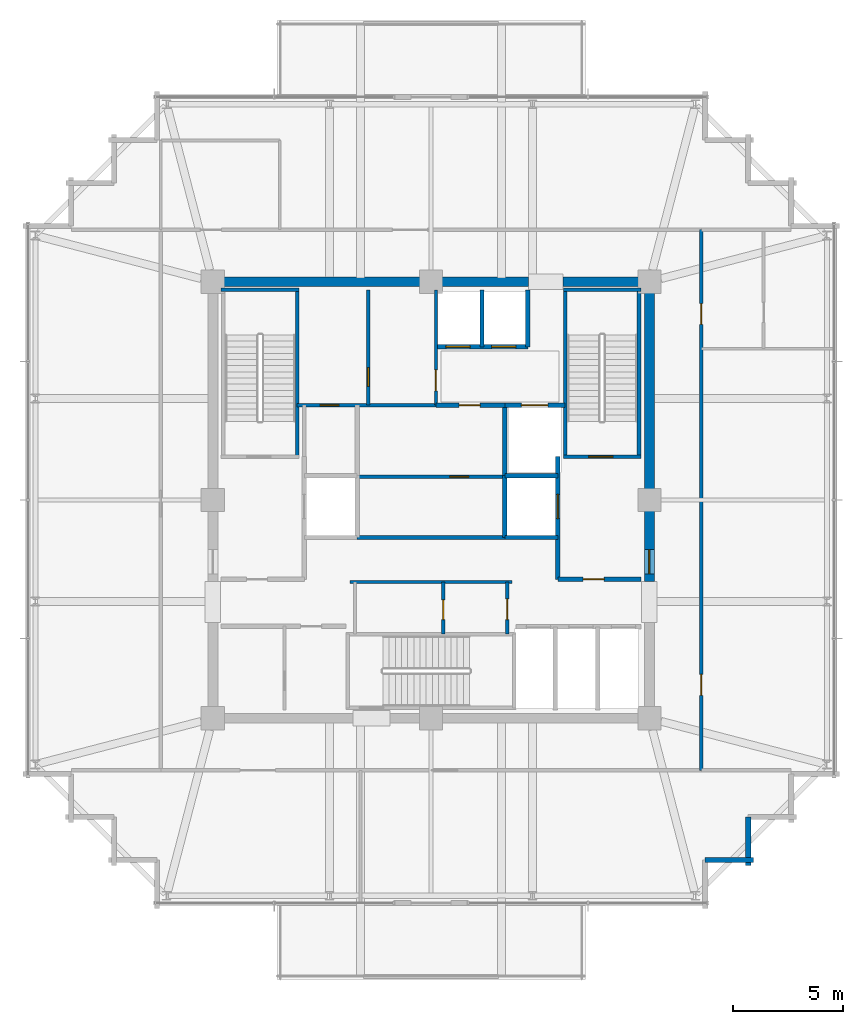
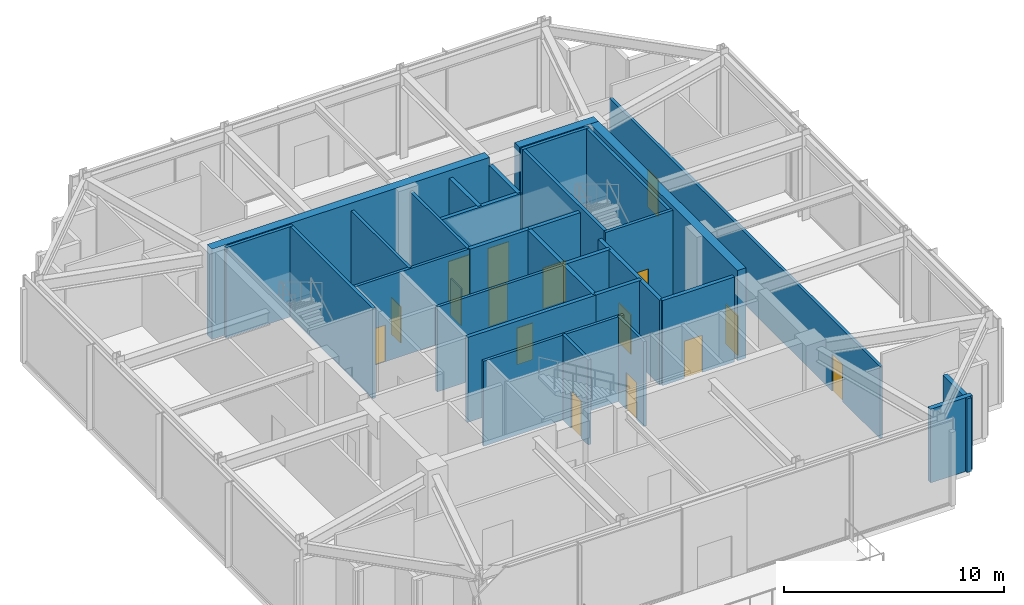
# One storey, part 28 of 31: 31 walls, 16 doors, 16 openings.
"""IFC4 building model written with IfcOpenShell, lengths in metres."""

from ifc_helpers import new_model, si_unit, direction, frame, frame_2d, origin, place, context, subcontext, project, spatial, rectangle, extrude, material, layer, layer_set, type_object, element, fill, save


model = new_model("IFC4")

# Units and contexts
model_context = context("Model", 3, precision=1e-05, world=origin(), true_north=direction((0.0, 1.0)))
body_context = subcontext(model_context, "Body", "Model", "MODEL_VIEW")
ifc_project = project(units=[si_unit("LENGTHUNIT", "METRE"), si_unit("AREAUNIT", "SQUARE_METRE"), si_unit("VOLUMEUNIT", "CUBIC_METRE"), si_unit("PLANEANGLEUNIT", "RADIAN"), si_unit("MASSUNIT", "GRAM", prefix="KILO")], contexts=[model_context])

# Site, building, storey
site_placement = place(None, origin())
site = spatial("IfcSite", under=ifc_project, at=site_placement, CompositionType="ELEMENT")
building_placement = place(site_placement, origin())
building = spatial("IfcBuilding", under=site, at=building_placement, Name="Kolvaren Belvedere", CompositionType="ELEMENT")
storey_placement = place(building_placement, frame((0.0, 0.0, 267.39990234375)))
storey = spatial("IfcBuildingStorey", under=building, at=storey_placement, Name="L77", CompositionType="ELEMENT", Elevation=267.39990234375)

# Walls
ifc_material_1 = material(Name="Concrete C50/60", Category="concrete")
ifc_layer_1 = layer(ifc_material_1, 0.449951171875)
ifc_layer_set_1 = layer_set([ifc_layer_1], Name="Concrete C50/60")
wall_type_1 = type_object("IfcWallType", Name="CW-CORE-450", PredefinedType="SHEAR", material=ifc_layer_set_1)
wall_1_placement = place(storey_placement, frame((-10.125, 9.89990234375, 0.0), z_axis=(0.0, 0.0, 1.0), x_axis=(1.0, 0.0, 0.0)))
element("IfcWall", 1, at=wall_1_placement, inside=storey, type_object=wall_type_1, Name="L77 North Core Shear Wall 1", PredefinedType="SHEAR", context=body_context, shape_type="SweptSolid", body=[
    extrude(rectangle(XDim=14.544921875, YDim=0.449951171875, at=frame_2d((7.2724609375, 0.0))), origin(), (0.0, 0.0, 1.0), 5.0),
])
wall_2_placement = place(storey_placement, frame((5.97998046875, 9.89990234375, 0.0), z_axis=(0.0, 0.0, 1.0), x_axis=(1.0, 0.0, 0.0)))
element("IfcWall", 2, at=wall_2_placement, inside=storey, type_object=wall_type_1, Name="L77 North Core Shear Wall 2", PredefinedType="SHEAR", context=body_context, shape_type="SweptSolid", body=[
    extrude(rectangle(XDim=4.14501953125, YDim=0.449951171875, at=frame_2d((2.072509765625, 0.0))), origin(), (0.0, 0.0, 1.0), 5.0),
])

# Wall, opening, door
wall_3_placement = place(storey_placement, frame((9.89990234375, -3.699951171875, 0.0), z_axis=(0.0, 0.0, 1.0), x_axis=(0.0, 1.0, 0.0)))
wall_3 = element("IfcWall", 3, at=wall_3_placement, inside=storey, type_object=wall_type_1, Name="L77 East Core Shear Wall 2", PredefinedType="SHEAR", context=body_context, shape_type="SweptSolid", body=[
    extrude(rectangle(XDim=13.375, YDim=0.449951171875, at=frame_2d((6.6875, 0.0))), origin(), (0.0, 0.0, 1.0), 5.0),
])
opening_1_placement = place(wall_3_placement, frame((0.35009765625, 0.0, 0.0)))
opening_1 = element("IfcOpeningElement", 4, at=opening_1_placement, cuts=wall_3, Name="Opening D-FD90", PredefinedType="OPENING", context=body_context, shape_type="SweptSolid", body=[
    extrude(rectangle(XDim=1.10009765625, YDim=2.199951171875, at=frame_2d((0.550048828125, 1.10009765625))), frame((0.0, 0.23486328125, 0.0), z_axis=(0.0, -1.0, 0.0), x_axis=(1.0, 0.0, 0.0)), (0.0, 0.0, 1.0), 0.469970703125),
])
ifc_material_2 = material(Name="Painted hollow stainless steel", Category="steel")
door_type_1 = type_object("IfcDoorType", Name="DR-FD90-1100", OperationType="NOTDEFINED", PredefinedType="DOOR", material=ifc_material_2)
door_1_placement = place(opening_1_placement, origin())
door_1 = element("IfcDoor", 5, at=door_1_placement, inside=storey, type_object=door_type_1, Name="L77 East Firefighting Lobby Fire Door", OperationType="SINGLE_SWING_RIGHT", OverallHeight=2.199951171875, OverallWidth=1.10009765625, PredefinedType="DOOR", context=body_context, shape_type="SweptSolid", body=[
    extrude(rectangle(XDim=1.10009765625, YDim=2.199951171875, at=frame_2d((0.550048828125, 1.10009765625))), frame((0.0, 0.02490234375, 0.0), z_axis=(0.0, -1.0, 0.0), x_axis=(1.0, 0.0, 0.0)), (0.0, 0.0, 1.0), 0.050048828125),
])
fill(opening_1, door_1)

# Walls
ifc_material_3 = material(Name="Concrete C50/60", Category="concrete")
ifc_layer_2 = layer(ifc_material_3, 0.159912109375)
ifc_layer_set_2 = layer_set([ifc_layer_2], Name="Concrete C50/60")
wall_type_2 = type_object("IfcWallType", Name="CW-STAIR-160", PredefinedType="SHEAR", material=ifc_layer_set_2)
wall_4_placement = place(storey_placement, frame((-9.52001953125, 9.530029296875, 0.0), z_axis=(0.0, 0.0, 1.0), x_axis=(1.0, 0.0, 0.0)))
element("IfcWall", 6, at=wall_4_placement, inside=storey, type_object=wall_type_2, Name="L77 Stair ST-1 North Shear Wall", PredefinedType="SHEAR", context=body_context, shape_type="SweptSolid", body=[
    extrude(rectangle(XDim=3.52001953125, YDim=0.159912109375, at=frame_2d((1.760009765625, 0.0))), origin(), (0.0, 0.0, 1.0), 5.0),
])
wall_5_placement = place(storey_placement, frame((-6.080078125, 1.969970703125, 0.0), z_axis=(0.0, 0.0, 1.0), x_axis=(0.0, 1.0, 0.0)))
element("IfcWall", 7, at=wall_5_placement, inside=storey, type_object=wall_type_2, Name="L77 Stair ST-1 East Shear Wall", PredefinedType="SHEAR", context=body_context, shape_type="SweptSolid", body=[
    extrude(rectangle(XDim=7.56005859375, YDim=0.159912109375, at=frame_2d((3.780029296875, 0.0))), origin(), (0.0, 0.0, 1.0), 5.0),
])

# Wall, opening, door
wall_6_placement = place(storey_placement, frame((6.0, 1.969970703125, 0.0), z_axis=(0.0, 0.0, 1.0), x_axis=(1.0, 0.0, 0.0)))
wall_6 = element("IfcWall", 8, at=wall_6_placement, inside=storey, type_object=wall_type_2, Name="L77 Stair ST-2 South Shear Wall", PredefinedType="SHEAR", context=body_context, shape_type="SweptSolid", body=[
    extrude(rectangle(XDim=3.52001953125, YDim=0.159912109375, at=frame_2d((1.760009765625, 0.0))), origin(), (0.0, 0.0, 1.0), 5.0),
])
opening_2_placement = place(wall_6_placement, frame((1.14990234375, 0.0, 0.0)))
opening_2 = element("IfcOpeningElement", 9, at=opening_2_placement, cuts=wall_6, Name="Opening D-FD90", PredefinedType="OPENING", context=body_context, shape_type="SweptSolid", body=[
    extrude(rectangle(XDim=1.10009765625, YDim=2.199951171875, at=frame_2d((0.550048828125, 1.10009765625))), frame((0.0, 0.08984375, 0.0), z_axis=(0.0, -1.0, 0.0), x_axis=(1.0, 0.0, 0.0)), (0.0, 0.0, 1.0), 0.179931640625),
])
door_2_placement = place(opening_2_placement, origin())
door_2 = element("IfcDoor", 10, at=door_2_placement, inside=storey, type_object=door_type_1, Name="L77 Stair ST-2 Fire Door", OperationType="SINGLE_SWING_RIGHT", OverallHeight=2.199951171875, OverallWidth=1.10009765625, PredefinedType="DOOR", context=body_context, shape_type="SweptSolid", body=[
    extrude(rectangle(XDim=1.10009765625, YDim=2.199951171875, at=frame_2d((0.550048828125, 1.10009765625))), frame((0.0, 0.02490234375, 0.0), z_axis=(0.0, -1.0, 0.0), x_axis=(1.0, 0.0, 0.0)), (0.0, 0.0, 1.0), 0.050048828125),
])
fill(opening_2, door_2)

# Walls
wall_7_placement = place(storey_placement, frame((6.0, 9.530029296875, 0.0), z_axis=(0.0, 0.0, 1.0), x_axis=(1.0, 0.0, 0.0)))
element("IfcWall", 11, at=wall_7_placement, inside=storey, type_object=wall_type_2, Name="L77 Stair ST-2 North Shear Wall", PredefinedType="SHEAR", context=body_context, shape_type="SweptSolid", body=[
    extrude(rectangle(XDim=3.52001953125, YDim=0.159912109375, at=frame_2d((1.760009765625, 0.0))), origin(), (0.0, 0.0, 1.0), 5.0),
])
for number, where, z_axis, x_axis, name in (
    (12, (6.080078125, 1.969970703125, 0.0), (0.0, 0.0, 1.0), (0.0, 1.0, 0.0), "L77 Stair ST-2 West Shear Wall"),
    (13, (9.429931640625, 1.969970703125, 0.0), (0.0, 0.0, 1.0), (0.0, 1.0, 0.0), "L77 Stair ST-2 East Shear Wall"),
):
    element("IfcWall", number, at=place(storey_placement, frame(where, z_axis=z_axis, x_axis=x_axis)), inside=storey, type_object=wall_type_2, Name=name, PredefinedType="SHEAR", context=body_context, shape_type="SweptSolid", body=[
        extrude(rectangle(XDim=7.56005859375, YDim=0.159912109375, at=frame_2d((3.780029296875, 0.0))), origin(), (0.0, 0.0, 1.0), 5.0),
    ])

# Wall, openings, doors
ifc_material_4 = material(Name="Gypsum fire-rated partition assembly", Category="gypsum")
ifc_layer_3 = layer(ifc_material_4, 0.14990234375)
ifc_layer_set_3 = layer_set([ifc_layer_3], Name="Gypsum fire-rated partition assembly")
wall_type_3 = type_object("IfcWallType", Name="WL-CORR-150", PredefinedType="PARTITIONING", material=ifc_layer_set_3)
wall_8_placement = place(storey_placement, frame((12.260009765625, -12.260009765625, 0.0), z_axis=(0.0, 0.0, 1.0), x_axis=(0.0, 1.0, 0.0)))
wall_8 = element("IfcWall", 14, at=wall_8_placement, inside=storey, type_object=wall_type_3, Name="L77 East Corridor Wall", PredefinedType="PARTITIONING", context=body_context, shape_type="SweptSolid", body=[
    extrude(rectangle(XDim=24.52001953125, YDim=0.14990234375, at=frame_2d((12.260009765625, 0.0))), origin(), (0.0, 0.0, 1.0), 3.989013671875),
])
opening_3_placement = place(wall_8_placement, frame((3.39990234375, 0.0, 0.0)))
opening_3 = element("IfcOpeningElement", 15, at=opening_3_placement, cuts=wall_8, Name="Opening D-FD60", PredefinedType="OPENING", context=body_context, shape_type="SweptSolid", body=[
    extrude(rectangle(XDim=0.949951171875, YDim=2.06005859375, at=frame_2d((0.47509765625, 1.030029296875))), frame((0.0, 0.0849609375, 0.0), z_axis=(0.0, -1.0, 0.0), x_axis=(1.0, 0.0, 0.0)), (0.0, 0.0, 1.0), 0.169921875),
])
opening_4_placement = place(wall_8_placement, frame((20.219970703125, 0.0, 0.0)))
opening_4 = element("IfcOpeningElement", 16, at=opening_4_placement, cuts=wall_8, Name="Opening D-INT95", PredefinedType="OPENING", context=body_context, shape_type="SweptSolid", body=[
    extrude(rectangle(XDim=0.949951171875, YDim=2.06005859375, at=frame_2d((0.47509765625, 1.030029296875))), frame((0.0, 0.0849609375, 0.0), z_axis=(0.0, -1.0, 0.0), x_axis=(1.0, 0.0, 0.0)), (0.0, 0.0, 1.0), 0.169921875),
])
ifc_material_5 = material(Name="Acoustic white-oak fire door leaf", Category="timber")
door_type_2 = type_object("IfcDoorType", Name="DR-FD60-950", OperationType="NOTDEFINED", PredefinedType="DOOR", material=ifc_material_5)
door_3_placement = place(opening_3_placement, origin())
door_3 = element("IfcDoor", 17, at=door_3_placement, inside=storey, type_object=door_type_2, Name="L77 Cascades Panorama Viewing Salon Door", OperationType="SINGLE_SWING_LEFT", OverallHeight=2.06005859375, OverallWidth=0.949951171875, PredefinedType="DOOR", context=body_context, shape_type="SweptSolid", body=[
    extrude(rectangle(XDim=0.949951171875, YDim=2.06005859375, at=frame_2d((0.47509765625, 1.030029296875))), frame((0.0, 0.02490234375, 0.0), z_axis=(0.0, -1.0, 0.0), x_axis=(1.0, 0.0, 0.0)), (0.0, 0.0, 1.0), 0.050048828125),
])
fill(opening_3, door_3)
ifc_material_6 = material(Name="Stained Pacific white oak", Category="timber")
door_type_3 = type_object("IfcDoorType", Name="DR-INT-950", OperationType="NOTDEFINED", PredefinedType="DOOR", material=ifc_material_6)
door_4_placement = place(opening_4_placement, origin())
door_4 = element("IfcDoor", 18, at=door_4_placement, inside=storey, type_object=door_type_3, Name="L77 Observation Public Washroom Door", OperationType="SINGLE_SWING_RIGHT", OverallHeight=2.06005859375, OverallWidth=0.949951171875, PredefinedType="DOOR", context=body_context, shape_type="SweptSolid", body=[
    extrude(rectangle(XDim=0.949951171875, YDim=2.06005859375, at=frame_2d((0.47509765625, 1.030029296875))), frame((0.0, 0.02490234375, 0.0), z_axis=(0.0, -1.0, 0.0), x_axis=(1.0, 0.0, 0.0)), (0.0, 0.0, 1.0), 0.050048828125),
])
fill(opening_4, door_4)

# Walls
ifc_material_7 = material(Name="Insulated pale-metal facade wall assembly", Category="aluminium")
ifc_layer_4 = layer(ifc_material_7, 0.239990234375)
ifc_layer_set_4 = layer_set([ifc_layer_4], Name="Insulated pale-metal facade wall assembly")
wall_type_4 = type_object("IfcWallType", Name="WL-EXT-240", PredefinedType="STANDARD", material=ifc_layer_set_4)
for number, where, z_axis, x_axis, name in (
    (19, (14.6201171875, -16.330078125, 0.0), (0.0, 0.0, 1.0), (-1.0, 0.0, 0.0), "L77 Serrated Corner Facade Wall 3"),
    (20, (14.3798828125, -14.3798828125, 0.0), (0.0, 0.0, 1.0), (0.0, -1.0, 0.0), "L77 Serrated Corner Facade Wall 4"),
):
    element("IfcWall", number, at=place(storey_placement, frame(where, z_axis=z_axis, x_axis=x_axis)), inside=storey, type_object=wall_type_4, Name=name, PredefinedType="STANDARD", context=body_context, shape_type="SweptSolid", body=[
        extrude(rectangle(XDim=2.190185546875, YDim=0.239990234375, at=frame_2d((1.09521484375, 0.0))), origin(), (0.0, 0.0, 1.0), 4.0830078125),
    ])

# Wall, opening, door
ifc_material_8 = material(Name="Gypsum acoustic partition assembly", Category="gypsum")
ifc_layer_5 = layer(ifc_material_8, 0.14990234375)
ifc_layer_set_5 = layer_set([ifc_layer_5], Name="Gypsum acoustic partition assembly")
wall_type_5 = type_object("IfcWallType", Name="WL-PART-150", PredefinedType="PARTITIONING", material=ifc_layer_set_5)
wall_9_placement = place(storey_placement, frame((-6.080078125, 4.300048828125, 0.0), z_axis=(0.0, 0.0, 1.0), x_axis=(1.0, 0.0, 0.0)))
wall_9 = element("IfcWall", 21, at=wall_9_placement, inside=storey, type_object=wall_type_5, Name="L77 Reclaimed Salon South Wall", PredefinedType="PARTITIONING", context=body_context, shape_type="SweptSolid", body=[
    extrude(rectangle(XDim=6.300048828125, YDim=0.14990234375, at=frame_2d((3.14990234375, 0.0))), origin(), (0.0, 0.0, 1.0), 4.7001953125),
])
opening_5_placement = place(wall_9_placement, frame((1.050048828125, 0.0, 0.0)))
opening_5 = element("IfcOpeningElement", 22, at=opening_5_placement, cuts=wall_9, Name="Opening D-INT85", PredefinedType="OPENING", context=body_context, shape_type="SweptSolid", body=[
    extrude(rectangle(XDim=0.85009765625, YDim=2.030029296875, at=frame_2d((0.425048828125, 1.01513671875))), frame((0.0, 0.0849609375, 0.0), z_axis=(0.0, -1.0, 0.0), x_axis=(1.0, 0.0, 0.0)), (0.0, 0.0, 1.0), 0.169921875),
])
ifc_material_9 = material(Name="Stained Pacific white oak", Category="timber")
door_type_4 = type_object("IfcDoorType", Name="DR-INT-850", OperationType="NOTDEFINED", PredefinedType="DOOR", material=ifc_material_9)
door_5_placement = place(opening_5_placement, origin())
door_5 = element("IfcDoor", 23, at=door_5_placement, inside=storey, type_object=door_type_4, Name="L77 NW Core Store Door", OperationType="SINGLE_SWING_RIGHT", OverallHeight=2.030029296875, OverallWidth=0.85009765625, PredefinedType="DOOR", context=body_context, shape_type="SweptSolid", body=[
    extrude(rectangle(XDim=0.85009765625, YDim=2.030029296875, at=frame_2d((0.425048828125, 1.01513671875))), frame((0.0, 0.02490234375, 0.0), z_axis=(0.0, -1.0, 0.0), x_axis=(1.0, 0.0, 0.0)), (0.0, 0.0, 1.0), 0.050048828125),
])
fill(opening_5, door_5)

wall_10_placement = place(storey_placement, frame((0.219970703125, 4.300048828125, 0.0), z_axis=(0.0, 0.0, 1.0), x_axis=(0.0, 1.0, 0.0)))
wall_10 = element("IfcWall", 24, at=wall_10_placement, inside=storey, type_object=wall_type_5, Name="L77 Reclaimed Salon East Wall", PredefinedType="PARTITIONING", context=body_context, shape_type="SweptSolid", body=[
    extrude(rectangle(XDim=5.219970703125, YDim=0.14990234375, at=frame_2d((2.60986328125, 0.0))), origin(), (0.0, 0.0, 1.0), 4.7001953125),
])
opening_6_placement = place(wall_10_placement, frame((0.64990234375, 0.0, 0.0)))
opening_6 = element("IfcOpeningElement", 25, at=opening_6_placement, cuts=wall_10, Name="Opening D-INT95", PredefinedType="OPENING", context=body_context, shape_type="SweptSolid", body=[
    extrude(rectangle(XDim=0.949951171875, YDim=2.06005859375, at=frame_2d((0.47509765625, 1.030029296875))), frame((0.0, 0.0849609375, 0.0), z_axis=(0.0, -1.0, 0.0), x_axis=(1.0, 0.0, 0.0)), (0.0, 0.0, 1.0), 0.169921875),
])
door_6_placement = place(opening_6_placement, origin())
door_6 = element("IfcDoor", 26, at=door_6_placement, inside=storey, type_object=door_type_3, Name="L77 Sky Boardroom Door", OperationType="SINGLE_SWING_LEFT", OverallHeight=2.06005859375, OverallWidth=0.949951171875, PredefinedType="DOOR", context=body_context, shape_type="SweptSolid", body=[
    extrude(rectangle(XDim=0.949951171875, YDim=2.06005859375, at=frame_2d((0.47509765625, 1.030029296875))), frame((0.0, 0.02490234375, 0.0), z_axis=(0.0, -1.0, 0.0), x_axis=(1.0, 0.0, 0.0)), (0.0, 0.0, 1.0), 0.050048828125),
])
fill(opening_6, door_6)

wall_11_placement = place(storey_placement, frame((-2.85009765625, 4.300048828125, 0.0), z_axis=(0.0, 0.0, 1.0), x_axis=(0.0, 1.0, 0.0)))
wall_11 = element("IfcWall", 27, at=wall_11_placement, inside=storey, type_object=wall_type_5, Name="L77 Reclaimed Salon Divider", PredefinedType="PARTITIONING", context=body_context, shape_type="SweptSolid", body=[
    extrude(rectangle(XDim=5.219970703125, YDim=0.14990234375, at=frame_2d((2.60986328125, 0.0))), origin(), (0.0, 0.0, 1.0), 4.7001953125),
])
opening_7_placement = place(wall_11_placement, frame((0.85009765625, 0.0, 0.0)))
opening_7 = element("IfcOpeningElement", 28, at=opening_7_placement, cuts=wall_11, Name="Opening D-INT85", PredefinedType="OPENING", context=body_context, shape_type="SweptSolid", body=[
    extrude(rectangle(XDim=0.85009765625, YDim=2.030029296875, at=frame_2d((0.425048828125, 1.01513671875))), frame((0.0, 0.0849609375, 0.0), z_axis=(0.0, -1.0, 0.0), x_axis=(1.0, 0.0, 0.0)), (0.0, 0.0, 1.0), 0.169921875),
])
door_7_placement = place(opening_7_placement, origin())
door_7 = element("IfcDoor", 29, at=door_7_placement, inside=storey, type_object=door_type_4, Name="L77 Beverage Pantry Door", OperationType="SINGLE_SWING_RIGHT", OverallHeight=2.030029296875, OverallWidth=0.85009765625, PredefinedType="DOOR", context=body_context, shape_type="SweptSolid", body=[
    extrude(rectangle(XDim=0.85009765625, YDim=2.030029296875, at=frame_2d((0.425048828125, 1.01513671875))), frame((0.0, 0.02490234375, 0.0), z_axis=(0.0, -1.0, 0.0), x_axis=(1.0, 0.0, 0.0)), (0.0, 0.0, 1.0), 0.050048828125),
])
fill(opening_7, door_7)

wall_12_placement = place(storey_placement, frame((-3.35009765625, 1.050048828125, 0.0), z_axis=(0.0, 0.0, 1.0), x_axis=(1.0, 0.0, 0.0)))
wall_12 = element("IfcWall", 30, at=wall_12_placement, inside=storey, type_object=wall_type_5, Name="L77 Central Core H-Divider", PredefinedType="PARTITIONING", context=body_context, shape_type="SweptSolid", body=[
    extrude(rectangle(XDim=6.7001953125, YDim=0.14990234375, at=frame_2d((3.35009765625, 0.0))), origin(), (0.0, 0.0, 1.0), 4.7001953125),
])
opening_8_placement = place(wall_12_placement, frame((4.199951171875, 0.0, 0.0)))
opening_8 = element("IfcOpeningElement", 31, at=opening_8_placement, cuts=wall_12, Name="Opening D-INT85", PredefinedType="OPENING", context=body_context, shape_type="SweptSolid", body=[
    extrude(rectangle(XDim=0.85009765625, YDim=2.030029296875, at=frame_2d((0.425048828125, 1.01513671875))), frame((0.0, 0.0849609375, 0.0), z_axis=(0.0, -1.0, 0.0), x_axis=(1.0, 0.0, 0.0)), (0.0, 0.0, 1.0), 0.169921875),
])
door_8_placement = place(opening_8_placement, origin())
door_8 = element("IfcDoor", 32, at=door_8_placement, inside=storey, type_object=door_type_4, Name="L77 Central Archive Door", OperationType="SINGLE_SWING_LEFT", OverallHeight=2.030029296875, OverallWidth=0.85009765625, PredefinedType="DOOR", context=body_context, shape_type="SweptSolid", body=[
    extrude(rectangle(XDim=0.85009765625, YDim=2.030029296875, at=frame_2d((0.425048828125, 1.01513671875))), frame((0.0, 0.02490234375, 0.0), z_axis=(0.0, -1.0, 0.0), x_axis=(1.0, 0.0, 0.0)), (0.0, 0.0, 1.0), 0.050048828125),
])
fill(opening_8, door_8)

# Wall
wall_13_placement = place(storey_placement, frame((-3.679931640625, -3.719970703125, 0.0), z_axis=(0.0, 0.0, 1.0), x_axis=(1.0, 0.0, 0.0)))
element("IfcWall", 33, at=wall_13_placement, inside=storey, type_object=wall_type_5, Name="L77 South Core Service North Wall", PredefinedType="PARTITIONING", context=body_context, shape_type="SweptSolid", body=[
    extrude(rectangle(XDim=7.35986328125, YDim=0.14990234375, at=frame_2d((3.679931640625, 0.0))), origin(), (0.0, 0.0, 1.0), 4.7001953125),
])

# Wall, opening, door
wall_14_placement = place(storey_placement, frame((3.449951171875, -6.080078125, 0.0), z_axis=(0.0, 0.0, 1.0), x_axis=(0.0, 1.0, 0.0)))
wall_14 = element("IfcWall", 34, at=wall_14_placement, inside=storey, type_object=wall_type_5, Name="L77 South Core Service East Wall", PredefinedType="PARTITIONING", context=body_context, shape_type="SweptSolid", body=[
    extrude(rectangle(XDim=2.360107421875, YDim=0.14990234375, at=frame_2d((1.18017578125, 0.0))), origin(), (0.0, 0.0, 1.0), 4.7001953125),
])
opening_9_placement = place(wall_14_placement, frame((0.64990234375, 0.0, 0.0)))
opening_9 = element("IfcOpeningElement", 35, at=opening_9_placement, cuts=wall_14, Name="Opening D-FD60", PredefinedType="OPENING", context=body_context, shape_type="SweptSolid", body=[
    extrude(rectangle(XDim=0.949951171875, YDim=2.06005859375, at=frame_2d((0.47509765625, 1.030029296875))), frame((0.0, 0.0849609375, 0.0), z_axis=(0.0, -1.0, 0.0), x_axis=(1.0, 0.0, 0.0)), (0.0, 0.0, 1.0), 0.169921875),
])
door_9_placement = place(opening_9_placement, origin())
door_9 = element("IfcDoor", 36, at=door_9_placement, inside=storey, type_object=door_type_2, Name="L77 Core Service Room Door", OperationType="SINGLE_SWING_LEFT", OverallHeight=2.06005859375, OverallWidth=0.949951171875, PredefinedType="DOOR", context=body_context, shape_type="SweptSolid", body=[
    extrude(rectangle(XDim=0.949951171875, YDim=2.06005859375, at=frame_2d((0.47509765625, 1.030029296875))), frame((0.0, 0.02490234375, 0.0), z_axis=(0.0, -1.0, 0.0), x_axis=(1.0, 0.0, 0.0)), (0.0, 0.0, 1.0), 0.050048828125),
])
fill(opening_9, door_9)

wall_15_placement = place(storey_placement, frame((0.550048828125, -6.080078125, 0.0), z_axis=(0.0, 0.0, 1.0), x_axis=(0.0, 1.0, 0.0)))
wall_15 = element("IfcWall", 37, at=wall_15_placement, inside=storey, type_object=wall_type_5, Name="L77 Core Service Divider", PredefinedType="PARTITIONING", context=body_context, shape_type="SweptSolid", body=[
    extrude(rectangle(XDim=2.360107421875, YDim=0.14990234375, at=frame_2d((1.18017578125, 0.0))), origin(), (0.0, 0.0, 1.0), 4.7001953125),
])
opening_10_placement = place(wall_15_placement, frame((0.64990234375, 0.0, 0.0)))
opening_10 = element("IfcOpeningElement", 38, at=opening_10_placement, cuts=wall_15, Name="Opening D-INT90", PredefinedType="OPENING", context=body_context, shape_type="SweptSolid", body=[
    extrude(rectangle(XDim=0.89990234375, YDim=2.06005859375, at=frame_2d((0.449951171875, 1.030029296875))), frame((0.0, 0.0849609375, 0.0), z_axis=(0.0, -1.0, 0.0), x_axis=(1.0, 0.0, 0.0)), (0.0, 0.0, 1.0), 0.169921875),
])
ifc_material_10 = material(Name="Stained Pacific white oak", Category="timber")
door_type_5 = type_object("IfcDoorType", Name="DR-INT-900", OperationType="NOTDEFINED", PredefinedType="DOOR", material=ifc_material_10)
door_10_placement = place(opening_10_placement, origin())
door_10 = element("IfcDoor", 39, at=door_10_placement, inside=storey, type_object=door_type_5, Name="L77 BMS Inner Door", OperationType="SINGLE_SWING_LEFT", OverallHeight=2.06005859375, OverallWidth=0.89990234375, PredefinedType="DOOR", context=body_context, shape_type="SweptSolid", body=[
    extrude(rectangle(XDim=0.89990234375, YDim=2.06005859375, at=frame_2d((0.449951171875, 1.030029296875))), frame((0.0, 0.02490234375, 0.0), z_axis=(0.0, -1.0, 0.0), x_axis=(1.0, 0.0, 0.0)), (0.0, 0.0, 1.0), 0.050048828125),
])
fill(opening_10, door_10)

ifc_material_11 = material(Name="Concrete C50/60", Category="concrete")
ifc_layer_6 = layer(ifc_material_11, 0.199951171875)
ifc_layer_set_6 = layer_set([ifc_layer_6], Name="Concrete C50/60")
wall_type_6 = type_object("IfcWallType", Name="WL-SHAFT-200", PredefinedType="SOLIDWALL", material=ifc_layer_set_6)
wall_16_placement = place(storey_placement, frame((5.75, -3.60009765625, 0.0), z_axis=(0.0, 0.0, 1.0), x_axis=(1.0, 0.0, 0.0)))
wall_16 = element("IfcWall", 40, at=wall_16_placement, inside=storey, type_object=wall_type_6, Name="L77 East FSAE Lobby South Wall", PredefinedType="SOLIDWALL", context=body_context, shape_type="SweptSolid", body=[
    extrude(rectangle(XDim=3.77001953125, YDim=0.199951171875, at=frame_2d((1.885009765625, 0.0))), origin(), (0.0, 0.0, 1.0), 4.7001953125),
])
opening_11_placement = place(wall_16_placement, frame((1.14990234375, 0.0, 0.0)))
opening_11 = element("IfcOpeningElement", 41, at=opening_11_placement, cuts=wall_16, Name="Opening D-FD60", PredefinedType="OPENING", context=body_context, shape_type="SweptSolid", body=[
    extrude(rectangle(XDim=0.949951171875, YDim=2.06005859375, at=frame_2d((0.47509765625, 1.030029296875))), frame((0.0, 0.10986328125, 0.0), z_axis=(0.0, -1.0, 0.0), x_axis=(1.0, 0.0, 0.0)), (0.0, 0.0, 1.0), 0.219970703125),
])
door_11_placement = place(opening_11_placement, origin())
door_11 = element("IfcDoor", 42, at=door_11_placement, inside=storey, type_object=door_type_2, Name="L77 SE Lift Lobby Fire Door", OperationType="SINGLE_SWING_RIGHT", OverallHeight=2.06005859375, OverallWidth=0.949951171875, PredefinedType="DOOR", context=body_context, shape_type="SweptSolid", body=[
    extrude(rectangle(XDim=0.949951171875, YDim=2.06005859375, at=frame_2d((0.47509765625, 1.030029296875))), frame((0.0, 0.02490234375, 0.0), z_axis=(0.0, -1.0, 0.0), x_axis=(1.0, 0.0, 0.0)), (0.0, 0.0, 1.0), 0.050048828125),
])
fill(opening_11, door_11)

wall_17_placement = place(storey_placement, frame((5.75, -3.60009765625, 0.0), z_axis=(0.0, 0.0, 1.0), x_axis=(0.0, 1.0, 0.0)))
wall_17 = element("IfcWall", 43, at=wall_17_placement, inside=storey, type_object=wall_type_6, Name="L77 FSAE FS2 Landing Wall", PredefinedType="SOLIDWALL", context=body_context, shape_type="SweptSolid", body=[
    extrude(rectangle(XDim=5.570068359375, YDim=0.199951171875, at=frame_2d((2.78515625, 0.0))), origin(), (0.0, 0.0, 1.0), 4.7001953125),
])
opening_12_placement = place(wall_17_placement, frame((2.75, 0.0, 0.0)))
opening_12 = element("IfcOpeningElement", 44, at=opening_12_placement, cuts=wall_17, Name="Opening LD-11", PredefinedType="OPENING", context=body_context, shape_type="SweptSolid", body=[
    extrude(rectangle(XDim=1.10009765625, YDim=2.199951171875, at=frame_2d((0.550048828125, 1.10009765625))), frame((0.0, 0.10986328125, 0.0), z_axis=(0.0, -1.0, 0.0), x_axis=(1.0, 0.0, 0.0)), (0.0, 0.0, 1.0), 0.219970703125),
])
ifc_material_12 = material(Name="Brushed stainless steel", Category="steel")
door_type_6 = type_object("IfcDoorType", Name="DR-LIFT-1100", OperationType="DOUBLE_DOOR_SLIDING", PredefinedType="DOOR", material=ifc_material_12)
door_12_placement = place(opening_12_placement, origin())
door_12 = element("IfcDoor", 45, at=door_12_placement, inside=storey, type_object=door_type_6, Name="L77 Firefighting Lift FS2 Landing Door", OperationType="DOUBLE_DOOR_SLIDING", OverallHeight=2.199951171875, OverallWidth=1.10009765625, PredefinedType="DOOR", context=body_context, shape_type="SweptSolid", body=[
    extrude(rectangle(XDim=1.10009765625, YDim=2.199951171875, at=frame_2d((0.550048828125, 1.10009765625))), frame((0.0, 0.02490234375, 0.0), z_axis=(0.0, -1.0, 0.0), x_axis=(1.0, 0.0, 0.0)), (0.0, 0.0, 1.0), 0.050048828125),
])
fill(opening_12, door_12)

# Walls
wall_18_placement = place(storey_placement, frame((3.35009765625, -1.699951171875, 0.0), z_axis=(0.0, 0.0, 1.0), x_axis=(0.0, 1.0, 0.0)))
element("IfcWall", 46, at=wall_18_placement, inside=storey, type_object=wall_type_6, Name="L77 FSAE FS2 Back Wall", PredefinedType="SOLIDWALL", context=body_context, shape_type="SweptSolid", body=[
    extrude(rectangle(XDim=2.800048828125, YDim=0.199951171875, at=frame_2d((1.39990234375, 0.0))), origin(), (0.0, 0.0, 1.0), 4.7001953125),
])
for number, where, z_axis, x_axis, name in (
    (47, (3.35009765625, -1.699951171875, 0.0), (0.0, 0.0, 1.0), (1.0, 0.0, 0.0), "L77 FSAE FS2 South Wall"),
    (48, (3.35009765625, 1.10009765625, 0.0), (0.0, 0.0, 1.0), (1.0, 0.0, 0.0), "L77 FSAE FS2 North Wall"),
):
    element("IfcWall", number, at=place(storey_placement, frame(where, z_axis=z_axis, x_axis=x_axis)), inside=storey, type_object=wall_type_6, Name=name, PredefinedType="SOLIDWALL", context=body_context, shape_type="SweptSolid", body=[
        extrude(rectangle(XDim=2.39990234375, YDim=0.199951171875, at=frame_2d((1.199951171875, 0.0))), origin(), (0.0, 0.0, 1.0), 4.7001953125),
    ])

# Wall, opening, door
wall_19_placement = place(storey_placement, frame((3.35009765625, 4.300048828125, 0.0), z_axis=(0.0, 0.0, 1.0), x_axis=(1.0, 0.0, 0.0)))
wall_19 = element("IfcWall", 49, at=wall_19_placement, inside=storey, type_object=wall_type_6, Name="L77 Service Lift SV1 Front Wall", PredefinedType="SOLIDWALL", context=body_context, shape_type="SweptSolid", body=[
    extrude(rectangle(XDim=2.72998046875, YDim=0.199951171875, at=frame_2d((1.364990234375, 0.0))), origin(), (0.0, 0.0, 1.0), 4.7001953125),
])
opening_13_placement = place(wall_19_placement, frame((0.75, 0.0, 0.0)))
opening_13 = element("IfcOpeningElement", 50, at=opening_13_placement, cuts=wall_19, Name="Opening LD-12", PredefinedType="OPENING", context=body_context, shape_type="SweptSolid", body=[
    extrude(rectangle(XDim=1.199951171875, YDim=2.25, at=frame_2d((0.60009765625, 1.125))), frame((0.0, 0.10986328125, 0.0), z_axis=(0.0, -1.0, 0.0), x_axis=(1.0, 0.0, 0.0)), (0.0, 0.0, 1.0), 0.219970703125),
])
ifc_material_13 = material(Name="Brushed stainless steel", Category="steel")
door_type_7 = type_object("IfcDoorType", Name="DR-LIFT-1200", OperationType="DOUBLE_DOOR_SLIDING", PredefinedType="DOOR", material=ifc_material_13)
door_13_placement = place(opening_13_placement, origin())
door_13 = element("IfcDoor", 51, at=door_13_placement, inside=storey, type_object=door_type_7, Name="L77 Service Lift SV1 Landing Door", OperationType="DOUBLE_DOOR_SLIDING", OverallHeight=2.25, OverallWidth=1.199951171875, PredefinedType="DOOR", context=body_context, shape_type="SweptSolid", body=[
    extrude(rectangle(XDim=1.199951171875, YDim=2.25, at=frame_2d((0.60009765625, 1.125))), frame((0.0, 0.02490234375, 0.0), z_axis=(0.0, -1.0, 0.0), x_axis=(1.0, 0.0, 0.0)), (0.0, 0.0, 1.0), 0.050048828125),
])
fill(opening_13, door_13)

# Wall, openings, doors
wall_20_placement = place(storey_placement, frame((0.219970703125, 6.949951171875, 0.0), z_axis=(0.0, 0.0, 1.0), x_axis=(1.0, 0.0, 0.0)))
wall_20 = element("IfcWall", 52, at=wall_20_placement, inside=storey, type_object=wall_type_6, Name="L77 Express Shuttle Hoistway Wall", PredefinedType="SOLIDWALL", context=body_context, shape_type="SweptSolid", body=[
    extrude(rectangle(XDim=4.179931640625, YDim=0.199951171875, at=frame_2d((2.08984375, 0.0))), origin(), (0.0, 0.0, 1.0), 4.7001953125),
])
opening_14_placement = place(wall_20_placement, frame((0.449951171875, 0.0, 0.0)))
opening_14 = element("IfcOpeningElement", 53, at=opening_14_placement, cuts=wall_20, Name="Opening LD-11", PredefinedType="OPENING", context=body_context, shape_type="SweptSolid", body=[
    extrude(rectangle(XDim=1.10009765625, YDim=2.199951171875, at=frame_2d((0.550048828125, 1.10009765625))), frame((0.0, 0.10986328125, 0.0), z_axis=(0.0, -1.0, 0.0), x_axis=(1.0, 0.0, 0.0)), (0.0, 0.0, 1.0), 0.219970703125),
])
opening_15_placement = place(wall_20_placement, frame((2.530029296875, 0.0, 0.0)))
opening_15 = element("IfcOpeningElement", 54, at=opening_15_placement, cuts=wall_20, Name="Opening LD-11", PredefinedType="OPENING", context=body_context, shape_type="SweptSolid", body=[
    extrude(rectangle(XDim=1.10009765625, YDim=2.199951171875, at=frame_2d((0.550048828125, 1.10009765625))), frame((0.0, 0.10986328125, 0.0), z_axis=(0.0, -1.0, 0.0), x_axis=(1.0, 0.0, 0.0)), (0.0, 0.0, 1.0), 0.219970703125),
])
door_14_placement = place(opening_14_placement, origin())
door_14 = element("IfcDoor", 55, at=door_14_placement, inside=storey, type_object=door_type_6, Name="L77 Express Observation Lift EX1 Landing Door", OperationType="DOUBLE_DOOR_SLIDING", OverallHeight=2.199951171875, OverallWidth=1.10009765625, PredefinedType="DOOR", context=body_context, shape_type="SweptSolid", body=[
    extrude(rectangle(XDim=1.10009765625, YDim=2.199951171875, at=frame_2d((0.550048828125, 1.10009765625))), frame((0.0, 0.02490234375, 0.0), z_axis=(0.0, -1.0, 0.0), x_axis=(1.0, 0.0, 0.0)), (0.0, 0.0, 1.0), 0.050048828125),
])
fill(opening_14, door_14)
door_15_placement = place(opening_15_placement, origin())
door_15 = element("IfcDoor", 56, at=door_15_placement, inside=storey, type_object=door_type_6, Name="L77 Express Observation Lift EX2 Landing Door", OperationType="DOUBLE_DOOR_SLIDING", OverallHeight=2.199951171875, OverallWidth=1.10009765625, PredefinedType="DOOR", context=body_context, shape_type="SweptSolid", body=[
    extrude(rectangle(XDim=1.10009765625, YDim=2.199951171875, at=frame_2d((0.550048828125, 1.10009765625))), frame((0.0, 0.02490234375, 0.0), z_axis=(0.0, -1.0, 0.0), x_axis=(1.0, 0.0, 0.0)), (0.0, 0.0, 1.0), 0.050048828125),
])
fill(opening_15, door_15)

# Walls
for number, where, z_axis, x_axis, name in (
    (57, (4.3798828125, 6.949951171875, 0.0), (0.0, 0.0, 1.0), (0.0, 1.0, 0.0), "L77 Express Shuttle East Wall"),
    (58, (2.31005859375, 6.949951171875, 0.0), (0.0, 0.0, 1.0), (0.0, 1.0, 0.0), "L77 Express Shuttle Divider"),
):
    element("IfcWall", number, at=place(storey_placement, frame(where, z_axis=z_axis, x_axis=x_axis)), inside=storey, type_object=wall_type_6, Name=name, PredefinedType="SOLIDWALL", context=body_context, shape_type="SweptSolid", body=[
        extrude(rectangle(XDim=2.570068359375, YDim=0.199951171875, at=frame_2d((1.28515625, 0.0))), origin(), (0.0, 0.0, 1.0), 4.7001953125),
    ])

# Wall, opening, door
wall_21_placement = place(storey_placement, frame((0.219970703125, 4.300048828125, 0.0), z_axis=(0.0, 0.0, 1.0), x_axis=(1.0, 0.0, 0.0)))
wall_21 = element("IfcWall", 59, at=wall_21_placement, inside=storey, type_object=wall_type_6, Name="L77 Central Core Room North Wall", PredefinedType="SOLIDWALL", context=body_context, shape_type="SweptSolid", body=[
    extrude(rectangle(XDim=3.130126953125, YDim=0.199951171875, at=frame_2d((1.56494140625, 0.0))), origin(), (0.0, 0.0, 1.0), 4.7001953125),
])
opening_16_placement = place(wall_21_placement, frame((1.050048828125, 0.0, 0.0)))
opening_16 = element("IfcOpeningElement", 60, at=opening_16_placement, cuts=wall_21, Name="Opening D-FD60", PredefinedType="OPENING", context=body_context, shape_type="SweptSolid", body=[
    extrude(rectangle(XDim=0.949951171875, YDim=2.06005859375, at=frame_2d((0.47509765625, 1.030029296875))), frame((0.0, 0.10986328125, 0.0), z_axis=(0.0, -1.0, 0.0), x_axis=(1.0, 0.0, 0.0)), (0.0, 0.0, 1.0), 0.219970703125),
])
door_16_placement = place(opening_16_placement, origin())
door_16 = element("IfcDoor", 61, at=door_16_placement, inside=storey, type_object=door_type_2, Name="L77 Central Core Controls Door", OperationType="SINGLE_SWING_LEFT", OverallHeight=2.06005859375, OverallWidth=0.949951171875, PredefinedType="DOOR", context=body_context, shape_type="SweptSolid", body=[
    extrude(rectangle(XDim=0.949951171875, YDim=2.06005859375, at=frame_2d((0.47509765625, 1.030029296875))), frame((0.0, 0.02490234375, 0.0), z_axis=(0.0, -1.0, 0.0), x_axis=(1.0, 0.0, 0.0)), (0.0, 0.0, 1.0), 0.050048828125),
])
fill(opening_16, door_16)

# Walls
wall_22_placement = place(storey_placement, frame((-3.35009765625, -1.699951171875, 0.0), z_axis=(0.0, 0.0, 1.0), x_axis=(1.0, 0.0, 0.0)))
element("IfcWall", 62, at=wall_22_placement, inside=storey, type_object=wall_type_6, Name="L77 Central Core Room South Wall", PredefinedType="SOLIDWALL", context=body_context, shape_type="SweptSolid", body=[
    extrude(rectangle(XDim=6.7001953125, YDim=0.199951171875, at=frame_2d((3.35009765625, 0.0))), origin(), (0.0, 0.0, 1.0), 4.7001953125),
])
wall_23_placement = place(storey_placement, frame((3.35009765625, 1.10009765625, 0.0), z_axis=(0.0, 0.0, 1.0), x_axis=(0.0, 1.0, 0.0)))
element("IfcWall", 63, at=wall_23_placement, inside=storey, type_object=wall_type_6, Name="L77 Central Core Room East Wall", PredefinedType="SOLIDWALL", context=body_context, shape_type="SweptSolid", body=[
    extrude(rectangle(XDim=3.199951171875, YDim=0.199951171875, at=frame_2d((1.60009765625, 0.0))), origin(), (0.0, 0.0, 1.0), 4.7001953125),
])

save(model, "model.ifc")
